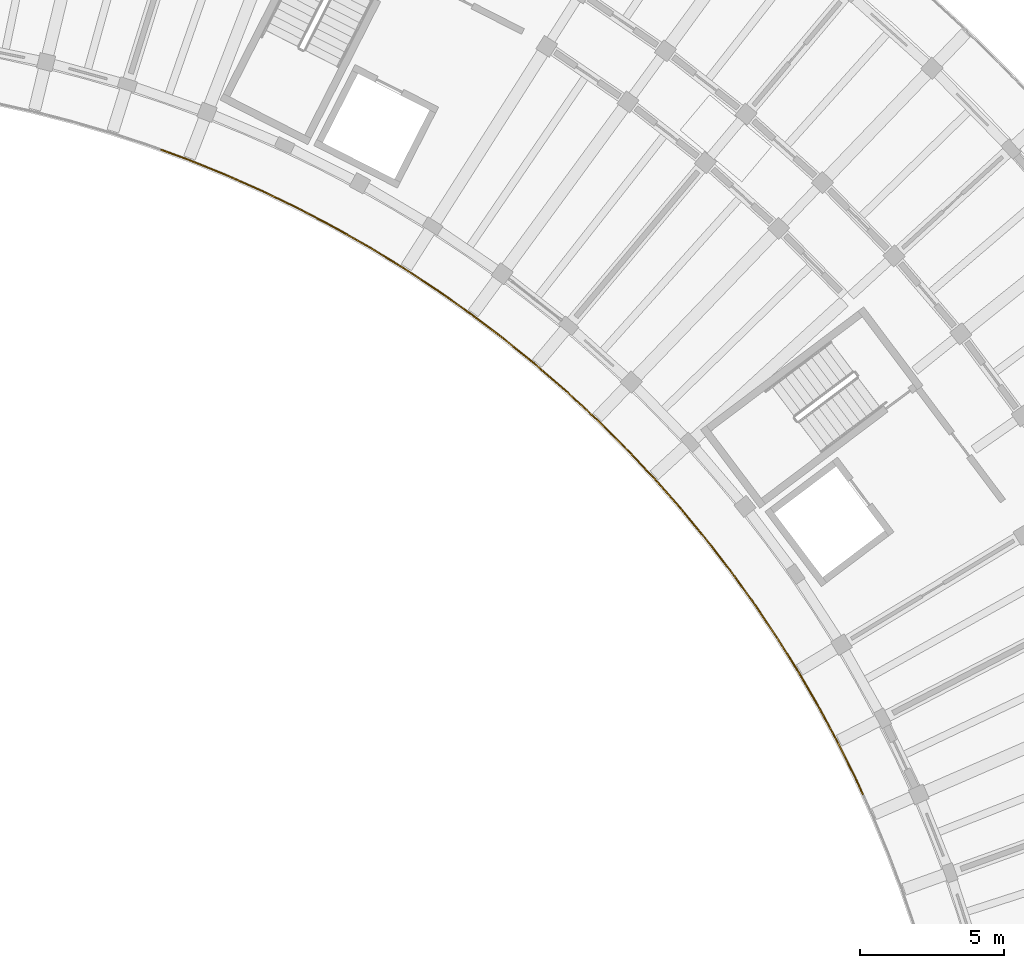
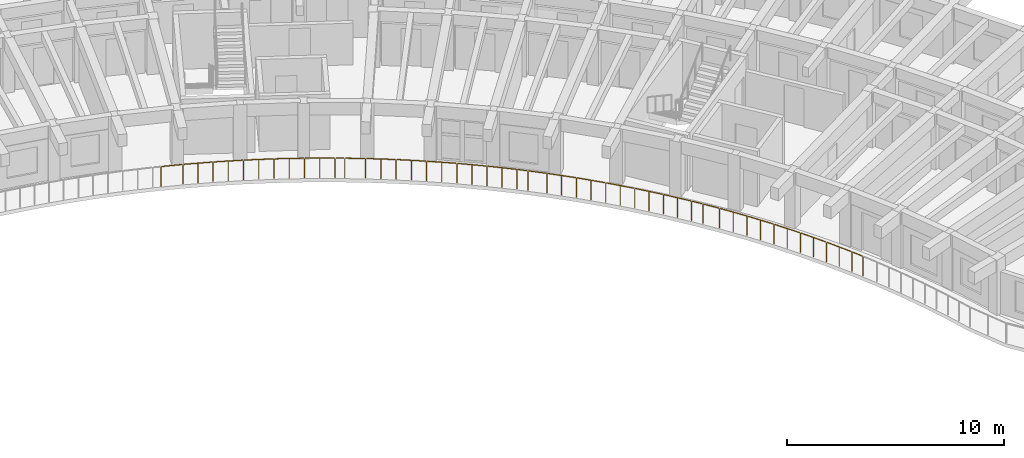
# One storey, part 65 of 69: 4 railings.
"""IFC4 building model written with IfcOpenShell, lengths in metres."""

from ifc_helpers import new_model, si_unit, direction, frame, origin, origin_2d, place, context, subcontext, project, spatial, circle, extrude, material, type_object, element, save


model = new_model("IFC4")

# Units and contexts
model_context = context("Model", 3, precision=1e-05, world=origin(), true_north=direction((0.0, 1.0)))
body_context = subcontext(model_context, "Body", "Model", "MODEL_VIEW")
ifc_project = project(units=[si_unit("LENGTHUNIT", "METRE"), si_unit("AREAUNIT", "SQUARE_METRE"), si_unit("VOLUMEUNIT", "CUBIC_METRE"), si_unit("PLANEANGLEUNIT", "RADIAN"), si_unit("MASSUNIT", "GRAM", prefix="KILO")], contexts=[model_context])

# Site, building, storey
site_placement = place(None, origin())
site = spatial("IfcSite", under=ifc_project, at=site_placement, CompositionType="ELEMENT")
building_placement = place(site_placement, origin())
building = spatial("IfcBuilding", under=site, at=building_placement, Name="Tanwirah Colonnade Gardens", CompositionType="ELEMENT")
storey_placement = place(building_placement, frame((0.0, 0.0, 15.56005859375)))
storey = spatial("IfcBuildingStorey", under=building, at=storey_placement, Name="L04", CompositionType="ELEMENT", Elevation=15.56005859375)

# Railings
ifc_material = material(Name="Precast concrete C40/50", Category="concrete")
railing_type = type_object("IfcRailingType", Name="BAL-EXT112", PredefinedType="BALUSTRADE", material=ifc_material)
railing_1_placement = place(storey_placement, frame((159.798095703125, 77.970947265625, 0.0)))
element("IfcRailing", 1, at=railing_1_placement, inside=storey, type_object=railing_type, Name="Block B L04 Balcony Ribbon Balustrade 2", PredefinedType="BALUSTRADE", context=body_context, shape_type="SweptSolid", body=[
    extrude(circle(Radius=0.02392578125, at=origin_2d()), frame((-0.012939453125, 0.028564453125, 1.09619140625), z_axis=(-0.414662350761, 0.909975348491, 0.0), x_axis=(-0.909975348491, -0.414662350761, 0.0)), (0.0, 0.0, 1.0), 0.55810546875),
    extrude(circle(Radius=0.02392578125, at=origin_2d()), frame((-0.2724609375, 0.59521484375, 1.09619140625), z_axis=(-0.444499692011, 0.895779003885, 0.0), x_axis=(-0.895779003885, -0.444499692011, 0.0)), (0.0, 0.0, 1.0), 1.341796875),
    extrude(circle(Radius=0.02392578125, at=origin_2d()), frame((-0.89892578125, 1.85498046875, 1.09619140625), z_axis=(-0.473716211853, 0.880677552018, 0.0), x_axis=(-0.880677552018, -0.473716211853, 0.0)), (0.0, 0.0, 1.0), 1.341796875),
    extrude(circle(Radius=0.02392578125, at=origin_2d()), frame((-1.566162109375, 3.093505859375, 1.09619140625), z_axis=(-0.502378729104, 0.864647681165, 0.0), x_axis=(-0.864647681165, -0.502378729104, 0.0)), (0.0, 0.0, 1.0), 1.342041015625),
    extrude(circle(Radius=0.02392578125, at=origin_2d()), frame((-2.274169921875, 4.3095703125, 1.09619140625), z_axis=(-0.530764445851, 0.847519382091, 0.0), x_axis=(-0.847519382091, -0.530764445851, 0.0)), (0.0, 0.0, 1.0), 1.341796875),
    extrude(circle(Radius=0.02392578125, at=origin_2d()), frame((-3.02197265625, 5.501220703125, 1.09619140625), z_axis=(-0.558385571779, 0.829581553091, 0.0), x_axis=(-0.829581553091, -0.558385571779, 0.0)), (0.0, 0.0, 1.0), 1.341796875),
    extrude(circle(Radius=0.02392578125, at=origin_2d()), frame((-3.808349609375, 6.66796875, 1.09619140625), z_axis=(-0.585427031638, 0.810725101763, 0.0), x_axis=(-0.810725101763, -0.585427031638, 0.0)), (0.0, 0.0, 1.0), 0.779541015625),
    extrude(circle(Radius=0.02099609375, at=origin_2d()), origin(), (0.0, 0.0, 1.0), 1.069091796875),
    extrude(circle(Radius=0.02099609375, at=origin_2d()), frame((-0.25732421875, 0.564697265625, 0.0)), (0.0, 0.0, 1.0), 1.069091796875),
    extrude(circle(Radius=0.02099609375, at=origin_2d()), frame((-0.57080078125, 1.1962890625, 0.0)), (0.0, 0.0, 1.0), 1.069091796875),
    extrude(circle(Radius=0.02099609375, at=origin_2d()), frame((-0.8828125, 1.8251953125, 0.0)), (0.0, 0.0, 1.0), 1.069091796875),
    extrude(circle(Radius=0.02099609375, at=origin_2d()), frame((-1.216796875, 2.44580078125, 0.0)), (0.0, 0.0, 1.0), 1.069091796875),
    extrude(circle(Radius=0.02099609375, at=origin_2d()), frame((-1.54931640625, 3.064208984375, 0.0)), (0.0, 0.0, 1.0), 1.069091796875),
    extrude(circle(Radius=0.02099609375, at=origin_2d()), frame((-1.9033203125, 3.673583984375, 0.0)), (0.0, 0.0, 1.0), 1.069091796875),
    extrude(circle(Radius=0.02099609375, at=origin_2d()), frame((-2.256103515625, 4.28076171875, 0.0)), (0.0, 0.0, 1.0), 1.069091796875),
    extrude(circle(Radius=0.02099609375, at=origin_2d()), frame((-2.63037109375, 4.8779296875, 0.0)), (0.0, 0.0, 1.0), 1.069091796875),
    extrude(circle(Radius=0.02099609375, at=origin_2d()), frame((-3.0029296875, 5.47314453125, 0.0)), (0.0, 0.0, 1.0), 1.069091796875),
    extrude(circle(Radius=0.02099609375, at=origin_2d()), frame((-3.396484375, 6.057861328125, 0.0)), (0.0, 0.0, 1.0), 1.069091796875),
    extrude(circle(Radius=0.02099609375, at=origin_2d()), frame((-3.78857421875, 6.640380859375, 0.0)), (0.0, 0.0, 1.0), 1.069091796875),
    extrude(circle(Radius=0.02099609375, at=origin_2d()), frame((-4.282958984375, 7.3251953125, 0.0)), (0.0, 0.0, 1.0), 1.069091796875),
])
railing_2_placement = place(storey_placement, frame((155.51513671875, 85.296142578125, 0.0)))
element("IfcRailing", 2, at=railing_2_placement, inside=storey, type_object=railing_type, Name="Block B L04 Balcony Ribbon Balustrade 3", PredefinedType="BALUSTRADE", context=body_context, shape_type="SweptSolid", body=[
    extrude(circle(Radius=0.02392578125, at=origin_2d()), frame((-0.018310546875, 0.025390625, 1.09619140625), z_axis=(-0.585664903779, 0.810553280471, 0.0), x_axis=(-0.810553280471, -0.585664903779, 0.0)), (0.0, 0.0, 1.0), 0.499755859375),
    extrude(circle(Radius=0.02392578125, at=origin_2d()), frame((-0.349853515625, 0.482666015625, 1.09619140625), z_axis=(-0.611783903817, 0.791024939576, 0.0), x_axis=(-0.791024939576, -0.611783903817, 0.0)), (0.0, 0.0, 1.0), 1.341796875),
    extrude(circle(Radius=0.02392578125, at=origin_2d()), frame((-1.211669921875, 1.594970703125, 1.09619140625), z_axis=(-0.637581943595, 0.770382544715, 0.0), x_axis=(-0.770382544715, -0.637581943595, 0.0)), (0.0, 0.0, 1.0), 1.342041015625),
    extrude(circle(Radius=0.02392578125, at=origin_2d()), frame((-2.109619140625, 2.67822265625, 1.09619140625), z_axis=(-0.662581384852, 0.748989925464, 0.0), x_axis=(-0.748989925464, -0.662581384852, 0.0)), (0.0, 0.0, 1.0), 1.341796875),
    extrude(circle(Radius=0.02392578125, at=origin_2d()), frame((-3.04248046875, 3.731201171875, 1.09619140625), z_axis=(-0.687011382404, 0.726646654466, 0.0), x_axis=(-0.726646654466, -0.687011382404, 0.0)), (0.0, 0.0, 1.0), 1.341796875),
    extrude(circle(Radius=0.02392578125, at=origin_2d()), frame((-4.009765625, 4.7529296875, 1.09619140625), z_axis=(-0.710488556831, 0.703708754111, 0.0), x_axis=(-0.703708754111, -0.710488556831, 0.0)), (0.0, 0.0, 1.0), 1.341796875),
    extrude(circle(Radius=0.02392578125, at=origin_2d()), frame((-5.01025390625, 5.7421875, 1.09619140625), z_axis=(-0.733450086442, 0.67974331236, 0.0), x_axis=(-0.67974331236, -0.733450086442, 0.0)), (0.0, 0.0, 1.0), 0.837646484375),
    extrude(circle(Radius=0.02099609375, at=origin_2d()), origin(), (0.0, 0.0, 1.0), 1.069091796875),
    extrude(circle(Radius=0.02099609375, at=origin_2d()), frame((-0.329345703125, 0.455810546875, 0.0)), (0.0, 0.0, 1.0), 1.069091796875),
    extrude(circle(Radius=0.02099609375, at=origin_2d()), frame((-0.76025390625, 1.013427734375, 0.0)), (0.0, 0.0, 1.0), 1.069091796875),
    extrude(circle(Radius=0.02099609375, at=origin_2d()), frame((-1.18994140625, 1.56884765625, 0.0)), (0.0, 0.0, 1.0), 1.069091796875),
    extrude(circle(Radius=0.02099609375, at=origin_2d()), frame((-1.639404296875, 2.11181640625, 0.0)), (0.0, 0.0, 1.0), 1.069091796875),
    extrude(circle(Radius=0.02099609375, at=origin_2d()), frame((-2.087158203125, 2.65283203125, 0.0)), (0.0, 0.0, 1.0), 1.069091796875),
    extrude(circle(Radius=0.02099609375, at=origin_2d()), frame((-2.55419921875, 3.1806640625, 0.0)), (0.0, 0.0, 1.0), 1.069091796875),
    extrude(circle(Radius=0.02099609375, at=origin_2d()), frame((-3.019287109375, 3.70654296875, 0.0)), (0.0, 0.0, 1.0), 1.069091796875),
    extrude(circle(Radius=0.02099609375, at=origin_2d()), frame((-3.50341796875, 4.21875, 0.0)), (0.0, 0.0, 1.0), 1.069091796875),
    extrude(circle(Radius=0.02099609375, at=origin_2d()), frame((-3.98583984375, 4.72900390625, 0.0)), (0.0, 0.0, 1.0), 1.069091796875),
    extrude(circle(Radius=0.02099609375, at=origin_2d()), frame((-4.486328125, 5.22509765625, 0.0)), (0.0, 0.0, 1.0), 1.069091796875),
    extrude(circle(Radius=0.02099609375, at=origin_2d()), frame((-4.9853515625, 5.71923828125, 0.0)), (0.0, 0.0, 1.0), 1.069091796875),
    extrude(circle(Radius=0.02099609375, at=origin_2d()), frame((-5.6474609375, 6.332763671875, 0.0)), (0.0, 0.0, 1.0), 1.069091796875),
])
railing_3_placement = place(storey_placement, frame((149.86767578125, 91.62890625, 0.0)))
element("IfcRailing", 3, at=railing_3_placement, inside=storey, type_object=railing_type, Name="Block B L04 Balcony Ribbon Balustrade 4", PredefinedType="BALUSTRADE", context=body_context, shape_type="SweptSolid", body=[
    extrude(circle(Radius=0.02392578125, at=origin_2d()), frame((-0.02294921875, 0.021240234375, 1.09619140625), z_axis=(-0.733224282582, 0.679986875926, 0.0), x_axis=(-0.679986875926, -0.733224282582, 0.0)), (0.0, 0.0, 1.0), 0.44189453125),
    extrude(circle(Radius=0.02392578125, at=origin_2d()), frame((-0.3955078125, 0.365234375, 1.09619140625), z_axis=(-0.755402192857, 0.655261418845, 0.0), x_axis=(-0.655261418845, -0.755402192857, 0.0)), (0.0, 0.0, 1.0), 1.341796875),
    extrude(circle(Radius=0.02392578125, at=origin_2d()), frame((-1.458740234375, 1.286376953125, 1.09619140625), z_axis=(-0.776491375378, 0.630127879056, 0.0), x_axis=(-0.630127879056, -0.776491375378, 0.0)), (0.0, 0.0, 1.0), 1.342041015625),
    extrude(circle(Radius=0.02392578125, at=origin_2d()), frame((-2.552001953125, 2.171875, 1.09619140625), z_axis=(-0.796818244666, 0.604219070344, 0.0), x_axis=(-0.604219070344, -0.796818244666, 0.0)), (0.0, 0.0, 1.0), 1.342041015625),
    extrude(circle(Radius=0.02392578125, at=origin_2d()), frame((-3.674072265625, 3.021240234375, 1.09619140625), z_axis=(-0.816321661452, 0.577597563226, 0.0), x_axis=(-0.577597563226, -0.816321661452, 0.0)), (0.0, 0.0, 1.0), 1.341552734375),
    extrude(circle(Radius=0.02392578125, at=origin_2d()), frame((-4.822998046875, 3.832763671875, 1.09619140625), z_axis=(-0.834927342507, 0.550360184547, 0.0), x_axis=(-0.550360184547, -0.834927342507, 0.0)), (0.0, 0.0, 1.0), 1.341796875),
    extrude(circle(Radius=0.02392578125, at=origin_2d()), frame((-5.998291015625, 4.606201171875, 1.09619140625), z_axis=(-0.852645184943, 0.522490371771, 0.0), x_axis=(-0.522490371771, -0.852645184943, 0.0)), (0.0, 0.0, 1.0), 0.895751953125),
    extrude(circle(Radius=0.02099609375, at=origin_2d()), origin(), (0.0, 0.0, 1.0), 1.069091796875),
    extrude(circle(Radius=0.02099609375, at=origin_2d()), frame((-0.369873046875, 0.343017578125, 0.0)), (0.0, 0.0, 1.0), 1.069091796875),
    extrude(circle(Radius=0.02099609375, at=origin_2d()), frame((-0.90234375, 0.8046875, 0.0)), (0.0, 0.0, 1.0), 1.069091796875),
    extrude(circle(Radius=0.02099609375, at=origin_2d()), frame((-1.4326171875, 1.264892578125, 0.0)), (0.0, 0.0, 1.0), 1.069091796875),
    extrude(circle(Radius=0.02099609375, at=origin_2d()), frame((-1.97998046875, 1.708984375, 0.0)), (0.0, 0.0, 1.0), 1.069091796875),
    extrude(circle(Radius=0.02099609375, at=origin_2d()), frame((-2.525146484375, 2.151611328125, 0.0)), (0.0, 0.0, 1.0), 1.069091796875),
    extrude(circle(Radius=0.02099609375, at=origin_2d()), frame((-3.086669921875, 2.577392578125, 0.0)), (0.0, 0.0, 1.0), 1.069091796875),
    extrude(circle(Radius=0.02099609375, at=origin_2d()), frame((-3.646240234375, 3.001708984375, 0.0)), (0.0, 0.0, 1.0), 1.069091796875),
    extrude(circle(Radius=0.02099609375, at=origin_2d()), frame((-4.2216796875, 3.40869140625, 0.0)), (0.0, 0.0, 1.0), 1.069091796875),
    extrude(circle(Radius=0.02099609375, at=origin_2d()), frame((-4.794677734375, 3.814208984375, 0.0)), (0.0, 0.0, 1.0), 1.069091796875),
    extrude(circle(Radius=0.02099609375, at=origin_2d()), frame((-5.38330078125, 4.2021484375, 0.0)), (0.0, 0.0, 1.0), 1.069091796875),
    extrude(circle(Radius=0.02099609375, at=origin_2d()), frame((-5.969482421875, 4.588623046875, 0.0)), (0.0, 0.0, 1.0), 1.069091796875),
    extrude(circle(Radius=0.02099609375, at=origin_2d()), frame((-6.788818359375, 5.090576171875, 0.0)), (0.0, 0.0, 1.0), 1.069091796875),
])
railing_4_placement = place(storey_placement, frame((143.078857421875, 96.719482421875, 0.0)))
element("IfcRailing", 4, at=railing_4_placement, inside=storey, type_object=railing_type, Name="Block B L04 Balcony Ribbon Balustrade 5", PredefinedType="BALUSTRADE", context=body_context, shape_type="SweptSolid", body=[
    extrude(circle(Radius=0.02392578125, at=origin_2d()), frame((-0.026611328125, 0.016357421875, 1.09619140625), z_axis=(-0.85257765709, 0.522600553608, 0.0), x_axis=(-0.522600553608, -0.85257765709, 0.0)), (0.0, 0.0, 1.0), 0.383544921875),
    extrude(circle(Radius=0.02392578125, at=origin_2d()), frame((-0.40966796875, 0.249755859375, 1.09619140625), z_axis=(-0.869342839865, 0.494209496848, 0.0), x_axis=(-0.494209496848, -0.869342839865, 0.0)), (0.0, 0.0, 1.0), 1.342041015625),
    extrude(circle(Radius=0.02392578125, at=origin_2d()), frame((-1.633544921875, 0.9443359375, 1.09619140625), z_axis=(-0.885204649416, 0.465201814972, 0.0), x_axis=(-0.465201814972, -0.885204649416, 0.0)), (0.0, 0.0, 1.0), 1.341796875),
    extrude(circle(Radius=0.02392578125, at=origin_2d()), frame((-2.87939453125, 1.597900390625, 1.09619140625), z_axis=(-0.900124070825, 0.43563362717, 0.0), x_axis=(-0.43563362717, -0.900124070825, 0.0)), (0.0, 0.0, 1.0), 1.341796875),
    extrude(circle(Radius=0.02392578125, at=origin_2d()), frame((-4.146240234375, 2.2099609375, 1.09619140625), z_axis=(-0.913997826773, 0.40571908096, 0.0), x_axis=(-0.40571908096, -0.913997826773, 0.0)), (0.0, 0.0, 1.0), 1.342041015625),
    extrude(circle(Radius=0.02392578125, at=origin_2d()), frame((-5.4326171875, 2.77978515625, 1.09619140625), z_axis=(-0.92683738147, 0.375463005247, 0.0), x_axis=(-0.375463005247, -0.92683738147, 0.0)), (0.0, 0.0, 1.0), 1.342041015625),
    extrude(circle(Radius=0.02392578125, at=origin_2d()), frame((-6.737060546875, 3.30712890625, 1.09619140625), z_axis=(-0.938687215578, 0.344769939686, 0.0), x_axis=(-0.344769939686, -0.938687215578, 0.0)), (0.0, 0.0, 1.0), 0.95361328125),
    extrude(circle(Radius=0.02099609375, at=origin_2d()), origin(), (0.0, 0.0, 1.0), 1.069091796875),
    extrude(circle(Radius=0.02099609375, at=origin_2d()), frame((-0.38037109375, 0.233154296875, 0.0)), (0.0, 0.0, 1.0), 1.069091796875),
    extrude(circle(Radius=0.02099609375, at=origin_2d()), frame((-0.9931640625, 0.58154296875, 0.0)), (0.0, 0.0, 1.0), 1.069091796875),
    extrude(circle(Radius=0.02099609375, at=origin_2d()), frame((-1.603515625, 0.928466796875, 0.0)), (0.0, 0.0, 1.0), 1.069091796875),
    extrude(circle(Radius=0.02099609375, at=origin_2d()), frame((-2.2275390625, 1.25634765625, 0.0)), (0.0, 0.0, 1.0), 1.069091796875),
    extrude(circle(Radius=0.02099609375, at=origin_2d()), frame((-2.84912109375, 1.5830078125, 0.0)), (0.0, 0.0, 1.0), 1.069091796875),
    extrude(circle(Radius=0.02099609375, at=origin_2d()), frame((-3.4833984375, 1.89013671875, 0.0)), (0.0, 0.0, 1.0), 1.069091796875),
    extrude(circle(Radius=0.02099609375, at=origin_2d()), frame((-4.115478515625, 2.196044921875, 0.0)), (0.0, 0.0, 1.0), 1.069091796875),
    extrude(circle(Radius=0.02099609375, at=origin_2d()), frame((-4.759521484375, 2.482177734375, 0.0)), (0.0, 0.0, 1.0), 1.069091796875),
    extrude(circle(Radius=0.02099609375, at=origin_2d()), frame((-5.4013671875, 2.76708984375, 0.0)), (0.0, 0.0, 1.0), 1.069091796875),
    extrude(circle(Radius=0.02099609375, at=origin_2d()), frame((-6.054443359375, 3.03173828125, 0.0)), (0.0, 0.0, 1.0), 1.069091796875),
    extrude(circle(Radius=0.02099609375, at=origin_2d()), frame((-6.705322265625, 3.29541015625, 0.0)), (0.0, 0.0, 1.0), 1.069091796875),
    extrude(circle(Radius=0.02099609375, at=origin_2d()), frame((-7.66162109375, 3.646728515625, 0.0)), (0.0, 0.0, 1.0), 1.069091796875),
])

save(model, "model.ifc")
